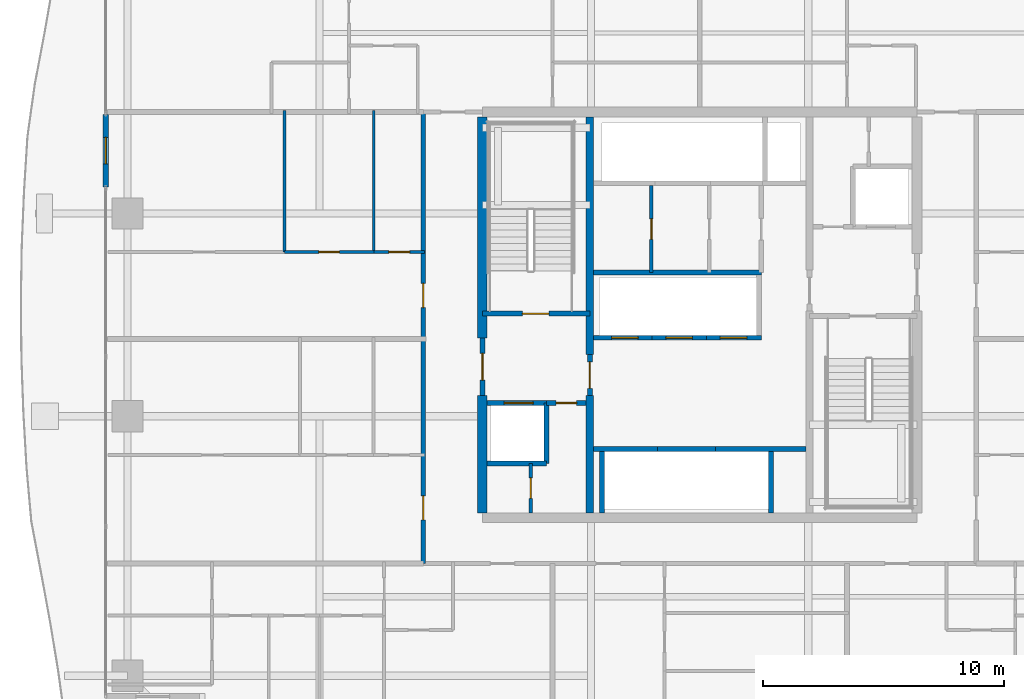
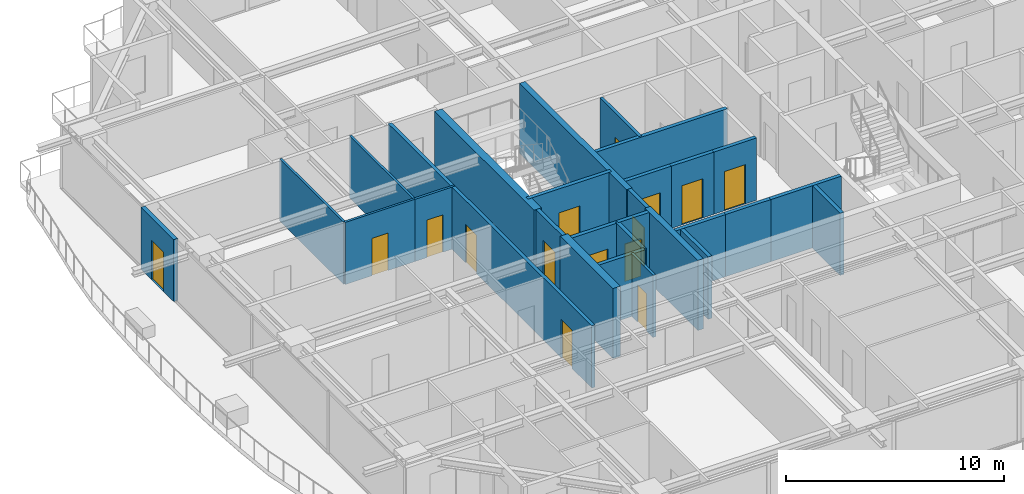
# One storey, part 28 of 38: 28 walls, 15 doors, 15 openings.
"""IFC4 building model written with IfcOpenShell, lengths in metres."""

from ifc_helpers import new_model, si_unit, direction, frame, frame_2d, origin, place, context, subcontext, project, spatial, rectangle, extrude, source, transform, mapped, material, layer, layer_set, type_object, element, fill, save


model = new_model("IFC4")

# Units and contexts
model_context = context("Model", 3, precision=1e-05, world=origin(), true_north=direction((0.0, 1.0)))
body_context = subcontext(model_context, "Body", "Model", "MODEL_VIEW")
ifc_project = project(units=[si_unit("LENGTHUNIT", "METRE"), si_unit("AREAUNIT", "SQUARE_METRE"), si_unit("VOLUMEUNIT", "CUBIC_METRE"), si_unit("PLANEANGLEUNIT", "RADIAN"), si_unit("MASSUNIT", "GRAM", prefix="KILO")], contexts=[model_context])

# Site, building, storey
site_placement = place(None, origin())
site = spatial("IfcSite", under=ifc_project, at=site_placement, CompositionType="ELEMENT")
building_placement = place(site_placement, origin())
building = spatial("IfcBuilding", under=site, at=building_placement, Name="Serunith Strait Residences", CompositionType="ELEMENT")
storey_placement = place(building_placement, frame((0.0, 0.0, 120.14990234375)))
storey = spatial("IfcBuildingStorey", under=building, at=storey_placement, Name="L29", CompositionType="ELEMENT", Elevation=120.14990234375)

# Wall, opening, door
ifc_material_1 = material(Name="Pale-Champagne Aluminium Insulated Panel", Category="aluminium")
ifc_layer_1 = layer(ifc_material_1, 0.219970703125, Name="Pale-Champagne Aluminium Insulated Panel")
ifc_layer_set_1 = layer_set([ifc_layer_1], Name="Pale-Champagne Aluminium Insulated Panel")
wall_type_1 = type_object("IfcWallType", Name="EW-ALUM-220", PredefinedType="ELEMENTEDWALL", material=ifc_layer_set_1)
wall_1_placement = place(storey_placement, frame((7.800048828125, 33.5, 0.0), z_axis=(0.0, 0.0, 1.0), x_axis=(0.0, -1.0, 0.0)))
wall_1 = element("IfcWall", 1, at=wall_1_placement, inside=storey, type_object=wall_type_1, Name="L29 W Facade Pier Wall", PredefinedType="ELEMENTEDWALL", context=body_context, shape_type="SweptSolid", body=[
    extrude(rectangle(XDim=3.0, YDim=0.219970703125, at=frame_2d((1.5, 0.0))), origin(), (0.0, 0.0, 1.0), 3.47509765625),
])
opening_1_placement = place(wall_1_placement, frame((0.949951171875, 0.0, 0.0)))
opening_1 = element("IfcOpeningElement", 2, at=opening_1_placement, cuts=wall_1, Name="Opening ED-03", PredefinedType="OPENING", context=body_context, shape_type="SweptSolid", body=[
    extrude(rectangle(XDim=1.10009765625, YDim=2.199951171875, at=frame_2d((0.550048828125, 1.10009765625))), frame((0.0, 0.1201171875, 0.0), z_axis=(0.0, -1.0, 0.0), x_axis=(1.0, 0.0, 0.0)), (0.0, 0.0, 1.0), 0.239990234375),
])
ifc_material_2 = material(Name="Thermally-Broken Aluminium Glazed Balcony Door", Category="aluminium")
door_type_1 = type_object("IfcDoorType", Name="ED-BALC-1100", OperationType="NOTDEFINED", PredefinedType="DOOR", material=ifc_material_2)
shared_shape_1 = source(origin(), body_context, "Body", "SweptSolid", [
    extrude(rectangle(XDim=1.10009765625, YDim=2.199951171875, at=frame_2d((0.550048828125, 1.10009765625))), frame((0.0, 0.02490234375, 0.0), z_axis=(0.0, -1.0, 0.0), x_axis=(1.0, 0.0, 0.0)), (0.0, 0.0, 1.0), 0.050048828125),
])
door_1_placement = place(opening_1_placement, origin())
door_1 = element("IfcDoor", 3, at=door_1_placement, inside=storey, type_object=door_type_1, Name="L29 W Vertical-Forest Balcony Door", OperationType="SINGLE_SWING_LEFT", OverallHeight=2.199951171875, OverallWidth=1.10009765625, PredefinedType="DOOR", context=body_context, shape_type="MappedRepresentation", body=[
    mapped(shared_shape_1, transform((0.0, 0.0, 0.0), scale=1.0)),
])
fill(opening_1, door_1)

ifc_material_3 = material(Name="Fire-rated masonry service closet wall", Category="masonry")
ifc_layer_2 = layer(ifc_material_3, 0.14990234375, Name="Fire-rated masonry service closet wall")
ifc_layer_set_2 = layer_set([ifc_layer_2], Name="Fire-rated masonry service closet wall")
wall_type_2 = type_object("IfcWallType", Name="IW-BOH-150", PredefinedType="PARTITIONING", material=ifc_layer_set_2)
wall_2_placement = place(storey_placement, frame((25.39990234375, 17.0, 0.0), z_axis=(0.0, 0.0, 1.0), x_axis=(0.0, 1.0, 0.0)))
wall_2 = element("IfcWall", 4, at=wall_2_placement, inside=storey, type_object=wall_type_2, Name="L29 Partition Wall 012", PredefinedType="PARTITIONING", context=body_context, shape_type="SweptSolid", body=[
    extrude(rectangle(XDim=2.050048828125, YDim=0.14990234375, at=frame_2d((1.02490234375, 0.0))), origin(), (0.0, 0.0, 1.0), 3.489990234375),
])
opening_2_placement = place(wall_2_placement, frame((0.60009765625, 0.0, 0.0)))
opening_2 = element("IfcOpeningElement", 5, at=opening_2_placement, cuts=wall_2, Name="Opening FD-850", PredefinedType="OPENING", context=body_context, shape_type="SweptSolid", body=[
    extrude(rectangle(XDim=0.85009765625, YDim=2.10009765625, at=frame_2d((0.425048828125, 1.050048828125))), frame((0.0, 0.0849609375, 0.0), z_axis=(0.0, -1.0, 0.0), x_axis=(1.0, 0.0, 0.0)), (0.0, 0.0, 1.0), 0.169921875),
])
ifc_material_4 = material(Name="Powder-coated steel service closet door", Category="steel")
door_type_2 = type_object("IfcDoorType", Name="FD-BOH-850", OperationType="NOTDEFINED", PredefinedType="DOOR", material=ifc_material_4)
shared_shape_2 = source(origin(), body_context, "Body", "SweptSolid", [
    extrude(rectangle(XDim=0.85009765625, YDim=2.10009765625, at=frame_2d((0.425048828125, 1.050048828125))), frame((0.0, 0.02490234375, 0.0), z_axis=(0.0, -1.0, 0.0), x_axis=(1.0, 0.0, 0.0)), (0.0, 0.0, 1.0), 0.050048828125),
])
door_2_placement = place(opening_2_placement, origin())
door_2 = element("IfcDoor", 6, at=door_2_placement, inside=storey, type_object=door_type_2, Name="L29 Sprinkler Plant Door", OperationType="SINGLE_SWING_LEFT", OverallHeight=2.10009765625, OverallWidth=0.85009765625, PredefinedType="DOOR", context=body_context, shape_type="MappedRepresentation", body=[
    mapped(shared_shape_2, transform((0.0, 0.0, 0.0), scale=1.0)),
])
fill(opening_2, door_2)

wall_3_placement = place(storey_placement, frame((30.39990234375, 26.949951171875, 0.0), z_axis=(0.0, 0.0, 1.0), x_axis=(0.0, 1.0, 0.0)))
wall_3 = element("IfcWall", 7, at=wall_3_placement, inside=storey, type_object=wall_type_2, Name="L29 Partition Wall 016", PredefinedType="PARTITIONING", context=body_context, shape_type="SweptSolid", body=[
    extrude(rectangle(XDim=3.60009765625, YDim=0.14990234375, at=frame_2d((1.800048828125, 0.0))), origin(), (0.0, 0.0, 1.0), 3.489990234375),
])
opening_3_placement = place(wall_3_placement, frame((1.375, 0.0, 0.0)))
opening_3 = element("IfcOpeningElement", 8, at=opening_3_placement, cuts=wall_3, Name="Opening FD-850", PredefinedType="OPENING", context=body_context, shape_type="SweptSolid", body=[
    extrude(rectangle(XDim=0.85009765625, YDim=2.10009765625, at=frame_2d((0.425048828125, 1.050048828125))), frame((0.0, 0.0849609375, 0.0), z_axis=(0.0, -1.0, 0.0), x_axis=(1.0, 0.0, 0.0)), (0.0, 0.0, 1.0), 0.169921875),
])
door_3_placement = place(opening_3_placement, origin())
door_3 = element("IfcDoor", 9, at=door_3_placement, inside=storey, type_object=door_type_2, Name="L29 Housekeeping Supply Door", OperationType="SINGLE_SWING_LEFT", OverallHeight=2.10009765625, OverallWidth=0.85009765625, PredefinedType="DOOR", context=body_context, shape_type="MappedRepresentation", body=[
    mapped(shared_shape_2, transform((0.0, 0.0, 0.0), scale=1.0)),
])
fill(opening_3, door_3)

# Wall, openings, doors
ifc_material_5 = material(Name="Fire-rated acoustic gypsum partition")
ifc_layer_3 = layer(ifc_material_5, 0.179931640625, Name="Fire-rated acoustic gypsum partition")
ifc_layer_set_3 = layer_set([ifc_layer_3], Name="Fire-rated acoustic gypsum partition")
wall_type_3 = type_object("IfcWallType", Name="IW-CORR-180", PredefinedType="PARTITIONING", material=ifc_layer_set_3)
wall_4_placement = place(storey_placement, frame((20.949951171875, 14.89990234375, 0.0), z_axis=(0.0, 0.0, 1.0), x_axis=(0.0, 1.0, 0.0)))
wall_4 = element("IfcWall", 10, at=wall_4_placement, inside=storey, type_object=wall_type_3, Name="L29 Partition Wall 027", PredefinedType="PARTITIONING", context=body_context, shape_type="SweptSolid", body=[
    extrude(rectangle(XDim=18.7001953125, YDim=0.179931640625, at=frame_2d((9.35009765625, 0.0))), origin(), (0.0, 0.0, 1.0), 3.489990234375),
])
opening_4_placement = place(wall_4_placement, frame((1.804931640625, 0.0, 0.0)))
opening_4 = element("IfcOpeningElement", 11, at=opening_4_placement, cuts=wall_4, Name="Opening D-APT1000", PredefinedType="OPENING", context=body_context, shape_type="SweptSolid", body=[
    extrude(rectangle(XDim=1.0, YDim=2.14990234375, at=frame_2d((0.5, 1.074951171875))), frame((0.0, 0.10009765625, 0.0), z_axis=(0.0, -1.0, 0.0), x_axis=(1.0, 0.0, 0.0)), (0.0, 0.0, 1.0), 0.199951171875),
])
opening_5_placement = place(wall_4_placement, frame((10.60205078125, 0.0, 0.0)))
opening_5 = element("IfcOpeningElement", 12, at=opening_5_placement, cuts=wall_4, Name="Opening D-APT1000", PredefinedType="OPENING", context=body_context, shape_type="SweptSolid", body=[
    extrude(rectangle(XDim=1.0, YDim=2.14990234375, at=frame_2d((0.5, 1.074951171875))), frame((0.0, 0.10009765625, 0.0), z_axis=(0.0, -1.0, 0.0), x_axis=(1.0, 0.0, 0.0)), (0.0, 0.0, 1.0), 0.199951171875),
])
ifc_material_6 = material(Name="Solid timber engineered fire door", Category="wood")
door_type_3 = type_object("IfcDoorType", Name="ID-APT-1000", OperationType="NOTDEFINED", PredefinedType="DOOR", material=ifc_material_6)
shared_shape_3 = source(origin(), body_context, "Body", "SweptSolid", [
    extrude(rectangle(XDim=1.0, YDim=2.14990234375, at=frame_2d((0.5, 1.074951171875))), frame((0.0, 0.02490234375, 0.0), z_axis=(0.0, -1.0, 0.0), x_axis=(1.0, 0.0, 0.0)), (0.0, 0.0, 1.0), 0.050048828125),
])
door_4_placement = place(opening_4_placement, origin())
door_4 = element("IfcDoor", 13, at=door_4_placement, inside=storey, type_object=door_type_3, Name="L29 Unit 06 Entrance Door", OperationType="SINGLE_SWING_LEFT", OverallHeight=2.14990234375, OverallWidth=1.0, PredefinedType="DOOR", context=body_context, shape_type="MappedRepresentation", body=[
    mapped(shared_shape_3, transform((0.0, 0.0, 0.0), scale=1.0)),
])
fill(opening_4, door_4)
door_5_placement = place(opening_5_placement, origin())
door_5 = element("IfcDoor", 14, at=door_5_placement, inside=storey, type_object=door_type_3, Name="L29 Unit 07 Entrance Door", OperationType="SINGLE_SWING_RIGHT", OverallHeight=2.14990234375, OverallWidth=1.0, PredefinedType="DOOR", context=body_context, shape_type="MappedRepresentation", body=[
    mapped(shared_shape_3, transform((0.0, 0.0, 0.0), scale=1.0)),
])
fill(opening_5, door_5)

# Walls
ifc_material_7 = material(Name="Lightweight steel-stud gypsum partition", Category="steel")
ifc_layer_4 = layer(ifc_material_7, 0.1201171875, Name="Lightweight steel-stud gypsum partition")
ifc_layer_set_4 = layer_set([ifc_layer_4], Name="Lightweight steel-stud gypsum partition")
wall_type_4 = type_object("IfcWallType", Name="IW-PART-120", PredefinedType="PARTITIONING", material=ifc_layer_set_4)
for number, where, z_axis, x_axis, name in (
    (15, (15.197998046875, 27.800048828125, 0.0), (0.0, 0.0, 1.0), (0.0, 1.0, 0.0), "L29 Partition Wall 100"),
    (16, (18.89990234375, 27.800048828125, 0.0), (0.0, 0.0, 1.0), (0.0, 1.0, 0.0), "L29 Partition Wall 101"),
):
    element("IfcWall", number, at=place(storey_placement, frame(where, z_axis=z_axis, x_axis=x_axis)), inside=storey, type_object=wall_type_4, Name=name, PredefinedType="PARTITIONING", context=body_context, shape_type="SweptSolid", body=[
        extrude(rectangle(XDim=5.85986328125, YDim=0.1201171875, at=frame_2d((2.929931640625, 0.0))), origin(), (0.0, 0.0, 1.0), 3.489990234375),
    ])

# Wall, opening, door
wall_5_placement = place(storey_placement, frame((15.199951171875, 27.800048828125, 0.0), z_axis=(0.0, 0.0, 1.0), x_axis=(1.0, 0.0, 0.0)))
wall_5 = element("IfcWall", 17, at=wall_5_placement, inside=storey, type_object=wall_type_4, Name="L29 Partition Wall 102", PredefinedType="PARTITIONING", context=body_context, shape_type="SweptSolid", body=[
    extrude(rectangle(XDim=3.699951171875, YDim=0.1201171875, at=frame_2d((1.85009765625, 0.0))), origin(), (0.0, 0.0, 1.0), 3.489990234375),
])
opening_6_placement = place(wall_5_placement, frame((1.425048828125, 0.0, 0.0)))
opening_6 = element("IfcOpeningElement", 18, at=opening_6_placement, cuts=wall_5, Name="Opening D-RM850", PredefinedType="OPENING", context=body_context, shape_type="SweptSolid", body=[
    extrude(rectangle(XDim=0.85009765625, YDim=2.10009765625, at=frame_2d((0.425048828125, 1.050048828125))), frame((0.0, 0.070068359375, 0.0), z_axis=(0.0, -1.0, 0.0), x_axis=(1.0, 0.0, 0.0)), (0.0, 0.0, 1.0), 0.14013671875),
])
ifc_material_8 = material(Name="Engineered timber flush study and kitchen door", Category="wood")
door_type_4 = type_object("IfcDoorType", Name="ID-ROOM-850", OperationType="NOTDEFINED", PredefinedType="DOOR", material=ifc_material_8)
door_6_placement = place(opening_6_placement, origin())
door_6 = element("IfcDoor", 19, at=door_6_placement, inside=storey, type_object=door_type_4, Name="L29 Kitchen 2907 Door", OperationType="SINGLE_SWING_LEFT", OverallHeight=2.10009765625, OverallWidth=0.85009765625, PredefinedType="DOOR", context=body_context, shape_type="MappedRepresentation", body=[
    mapped(shared_shape_2, transform((0.0, 0.0, 0.0), scale=1.0)),
])
fill(opening_6, door_6)

wall_6_placement = place(storey_placement, frame((18.902099609375, 27.800048828125, 0.0), z_axis=(0.0, 0.0, 1.0), x_axis=(1.0, 0.0, 0.0)))
wall_6 = element("IfcWall", 20, at=wall_6_placement, inside=storey, type_object=wall_type_4, Name="L29 Partition Wall 103", PredefinedType="PARTITIONING", context=body_context, shape_type="SweptSolid", body=[
    extrude(rectangle(XDim=2.10791015625, YDim=0.1201171875, at=frame_2d((1.053955078125, 0.0))), origin(), (0.0, 0.0, 1.0), 3.489990234375),
])
opening_7_placement = place(wall_6_placement, frame((0.62890625, 0.0, 0.0)))
opening_7 = element("IfcOpeningElement", 21, at=opening_7_placement, cuts=wall_6, Name="Opening D-BTH850", PredefinedType="OPENING", context=body_context, shape_type="SweptSolid", body=[
    extrude(rectangle(XDim=0.85009765625, YDim=2.10009765625, at=frame_2d((0.425048828125, 1.050048828125))), frame((0.0, 0.070068359375, 0.0), z_axis=(0.0, -1.0, 0.0), x_axis=(1.0, 0.0, 0.0)), (0.0, 0.0, 1.0), 0.14013671875),
])
ifc_material_9 = material(Name="Moisture-resistant timber bathroom door", Category="wood")
door_type_5 = type_object("IfcDoorType", Name="ID-BATH-850", OperationType="NOTDEFINED", PredefinedType="DOOR", material=ifc_material_9)
door_7_placement = place(opening_7_placement, origin())
door_7 = element("IfcDoor", 22, at=door_7_placement, inside=storey, type_object=door_type_5, Name="L29 Bathroom 2907 Door", OperationType="SINGLE_SWING_RIGHT", OverallHeight=2.10009765625, OverallWidth=0.85009765625, PredefinedType="DOOR", context=body_context, shape_type="MappedRepresentation", body=[
    mapped(shared_shape_2, transform((0.0, 0.0, 0.0), scale=1.0)),
])
fill(opening_7, door_7)

ifc_material_10 = material(Name="Autoclaved aerated concrete blockwork", Category="masonry")
ifc_layer_5 = layer(ifc_material_10, 0.199951171875, Name="Autoclaved aerated concrete blockwork")
ifc_layer_set_5 = layer_set([ifc_layer_5], Name="Autoclaved aerated concrete blockwork")
wall_type_5 = type_object("IfcWallType", Name="IW-SHAFT-200", PredefinedType="STANDARD", material=ifc_layer_set_5)
wall_7_placement = place(storey_placement, frame((23.39990234375, 25.25, 0.0), z_axis=(0.0, 0.0, 1.0), x_axis=(1.0, 0.0, 0.0)))
wall_7 = element("IfcWall", 23, at=wall_7_placement, inside=storey, type_object=wall_type_5, Name="L29 ST-1 South Shaft Wall", PredefinedType="STANDARD", context=body_context, shape_type="SweptSolid", body=[
    extrude(rectangle(XDim=4.4501953125, YDim=0.199951171875, at=frame_2d((2.22509765625, 0.0))), origin(), (0.0, 0.0, 1.0), 3.489990234375),
])
opening_8_placement = place(wall_7_placement, frame((1.64990234375, 0.0, 0.0)))
opening_8 = element("IfcOpeningElement", 24, at=opening_8_placement, cuts=wall_7, Name="Opening FD-1100", PredefinedType="OPENING", context=body_context, shape_type="SweptSolid", body=[
    extrude(rectangle(XDim=1.10009765625, YDim=2.14990234375, at=frame_2d((0.550048828125, 1.074951171875))), frame((0.0, 0.10986328125, 0.0), z_axis=(0.0, -1.0, 0.0), x_axis=(1.0, 0.0, 0.0)), (0.0, 0.0, 1.0), 0.219970703125),
])
ifc_material_11 = material(Name="Galvanised steel fire door leaf", Category="steel")
door_type_6 = type_object("IfcDoorType", Name="FD-STAIR-1100", OperationType="NOTDEFINED", PredefinedType="DOOR", material=ifc_material_11)
shared_shape_4 = source(origin(), body_context, "Body", "SweptSolid", [
    extrude(rectangle(XDim=1.10009765625, YDim=2.14990234375, at=frame_2d((0.550048828125, 1.074951171875))), frame((0.0, 0.02490234375, 0.0), z_axis=(0.0, -1.0, 0.0), x_axis=(1.0, 0.0, 0.0)), (0.0, 0.0, 1.0), 0.050048828125),
])
door_8_placement = place(opening_8_placement, origin())
door_8 = element("IfcDoor", 25, at=door_8_placement, inside=storey, type_object=door_type_6, Name="L29 ST-1 Escape Stair Door", OperationType="SINGLE_SWING_LEFT", OverallHeight=2.14990234375, OverallWidth=1.10009765625, PredefinedType="DOOR", context=body_context, shape_type="MappedRepresentation", body=[
    mapped(shared_shape_4, transform((0.0, 0.0, 0.0), scale=1.0)),
])
fill(opening_8, door_8)

wall_8_placement = place(storey_placement, frame((23.60009765625, 21.550048828125, 0.0), z_axis=(0.0, 0.0, 1.0), x_axis=(1.0, 0.0, 0.0)))
wall_8 = element("IfcWall", 26, at=wall_8_placement, inside=storey, type_object=wall_type_5, Name="L29 FL-1 North Shaft Wall", PredefinedType="STANDARD", context=body_context, shape_type="SweptSolid", body=[
    extrude(rectangle(XDim=2.449951171875, YDim=0.199951171875, at=frame_2d((1.22509765625, 0.0))), origin(), (0.0, 0.0, 1.0), 3.489990234375),
])
opening_9_placement = place(wall_8_placement, frame((0.699951171875, 0.0, 0.0)))
opening_9 = element("IfcOpeningElement", 27, at=opening_9_placement, cuts=wall_8, Name="Opening LD-FF1200", PredefinedType="OPENING", context=body_context, shape_type="SweptSolid", body=[
    extrude(rectangle(XDim=1.199951171875, YDim=2.199951171875, at=frame_2d((0.60009765625, 1.10009765625))), frame((0.0, 0.10986328125, 0.0), z_axis=(0.0, -1.0, 0.0), x_axis=(1.0, 0.0, 0.0)), (0.0, 0.0, 1.0), 0.219970703125),
])
ifc_material_12 = material(Name="Brushed stainless steel landing door", Category="steel")
door_type_7 = type_object("IfcDoorType", Name="LD-FF-1200", OperationType="DOUBLE_DOOR_SLIDING", PredefinedType="DOOR", material=ifc_material_12)
shared_shape_5 = source(origin(), body_context, "Body", "SweptSolid", [
    extrude(rectangle(XDim=1.199951171875, YDim=2.199951171875, at=frame_2d((0.60009765625, 1.10009765625))), frame((0.0, 0.02490234375, 0.0), z_axis=(0.0, -1.0, 0.0), x_axis=(1.0, 0.0, 0.0)), (0.0, 0.0, 1.0), 0.050048828125),
])
door_9_placement = place(opening_9_placement, origin())
door_9 = element("IfcDoor", 28, at=door_9_placement, inside=storey, type_object=door_type_7, Name="L29 FL-1 Landing Door", OperationType="DOUBLE_DOOR_SLIDING", OverallHeight=2.199951171875, OverallWidth=1.199951171875, PredefinedType="DOOR", context=body_context, shape_type="MappedRepresentation", body=[
    mapped(shared_shape_5, transform((0.0, 0.0, 0.0), scale=1.0)),
])
fill(opening_9, door_9)

# Walls
wall_9_placement = place(storey_placement, frame((28.0, 19.64990234375, 0.0), z_axis=(0.0, 0.0, 1.0), x_axis=(1.0, 0.0, 0.0)))
element("IfcWall", 29, at=wall_9_placement, inside=storey, type_object=wall_type_5, Name="L29 PL-1 North Shaft Wall", PredefinedType="STANDARD", context=body_context, shape_type="SweptSolid", body=[
    extrude(rectangle(XDim=2.64990234375, YDim=0.199951171875, at=frame_2d((1.324951171875, 0.0))), origin(), (0.0, 0.0, 1.0), 3.489990234375),
])
wall_10_placement = place(storey_placement, frame((28.35009765625, 17.0, 0.0), z_axis=(0.0, 0.0, 1.0), x_axis=(0.0, 1.0, 0.0)))
element("IfcWall", 30, at=wall_10_placement, inside=storey, type_object=wall_type_5, Name="L29 PL-1 West Shaft Wall", PredefinedType="STANDARD", context=body_context, shape_type="SweptSolid", body=[
    extrude(rectangle(XDim=2.550048828125, YDim=0.199951171875, at=frame_2d((1.27490234375, 0.0))), origin(), (0.0, 0.0, 1.0), 3.489990234375),
])
wall_11_placement = place(storey_placement, frame((30.64990234375, 19.64990234375, 0.0), z_axis=(0.0, 0.0, 1.0), x_axis=(1.0, 0.0, 0.0)))
element("IfcWall", 31, at=wall_11_placement, inside=storey, type_object=wall_type_5, Name="L29 PL-2 North Shaft Wall", PredefinedType="STANDARD", context=body_context, shape_type="SweptSolid", body=[
    extrude(rectangle(XDim=2.400146484375, YDim=0.199951171875, at=frame_2d((1.2001953125, 0.0))), origin(), (0.0, 0.0, 1.0), 3.489990234375),
])
wall_12_placement = place(storey_placement, frame((33.050048828125, 19.64990234375, 0.0), z_axis=(0.0, 0.0, 1.0), x_axis=(1.0, 0.0, 0.0)))
element("IfcWall", 32, at=wall_12_placement, inside=storey, type_object=wall_type_5, Name="L29 PL-3 North Shaft Wall", PredefinedType="STANDARD", context=body_context, shape_type="SweptSolid", body=[
    extrude(rectangle(XDim=3.75, YDim=0.199951171875, at=frame_2d((1.875, 0.0))), origin(), (0.0, 0.0, 1.0), 3.489990234375),
])
wall_13_placement = place(storey_placement, frame((35.35009765625, 17.0, 0.0), z_axis=(0.0, 0.0, 1.0), x_axis=(0.0, 1.0, 0.0)))
element("IfcWall", 33, at=wall_13_placement, inside=storey, type_object=wall_type_5, Name="L29 PL-3 East Shaft Wall", PredefinedType="STANDARD", context=body_context, shape_type="SweptSolid", body=[
    extrude(rectangle(XDim=2.550048828125, YDim=0.199951171875, at=frame_2d((1.27490234375, 0.0))), origin(), (0.0, 0.0, 1.0), 3.489990234375),
])

# Wall, opening, door
wall_14_placement = place(storey_placement, frame((28.0, 24.25, 0.0), z_axis=(0.0, 0.0, 1.0), x_axis=(1.0, 0.0, 0.0)))
wall_14 = element("IfcWall", 34, at=wall_14_placement, inside=storey, type_object=wall_type_5, Name="L29 PL-4 South Shaft Wall", PredefinedType="STANDARD", context=body_context, shape_type="SweptSolid", body=[
    extrude(rectangle(XDim=2.425048828125, YDim=0.199951171875, at=frame_2d((1.21240234375, 0.0))), origin(), (0.0, 0.0, 1.0), 3.489990234375),
])
opening_10_placement = place(wall_14_placement, frame((0.75, 0.0, 0.0)))
opening_10 = element("IfcOpeningElement", 35, at=opening_10_placement, cuts=wall_14, Name="Opening LD-1100", PredefinedType="OPENING", context=body_context, shape_type="SweptSolid", body=[
    extrude(rectangle(XDim=1.10009765625, YDim=2.199951171875, at=frame_2d((0.550048828125, 1.10009765625))), frame((0.0, 0.10986328125, 0.0), z_axis=(0.0, -1.0, 0.0), x_axis=(1.0, 0.0, 0.0)), (0.0, 0.0, 1.0), 0.219970703125),
])
ifc_material_13 = material(Name="Pale-champagne stainless landing door")
door_type_8 = type_object("IfcDoorType", Name="LD-LIFT-1100", OperationType="DOUBLE_DOOR_SLIDING", PredefinedType="DOOR", material=ifc_material_13)
door_10_placement = place(opening_10_placement, origin())
door_10 = element("IfcDoor", 36, at=door_10_placement, inside=storey, type_object=door_type_8, Name="L29 PL-4 Landing Door", OperationType="DOUBLE_DOOR_SLIDING", OverallHeight=2.199951171875, OverallWidth=1.10009765625, PredefinedType="DOOR", context=body_context, shape_type="MappedRepresentation", body=[
    mapped(shared_shape_1, transform((0.0, 0.0, 0.0), scale=1.0)),
])
fill(opening_10, door_10)

wall_15_placement = place(storey_placement, frame((30.425048828125, 24.25, 0.0), z_axis=(0.0, 0.0, 1.0), x_axis=(1.0, 0.0, 0.0)))
wall_15 = element("IfcWall", 37, at=wall_15_placement, inside=storey, type_object=wall_type_5, Name="L29 PL-5 South Shaft Wall", PredefinedType="STANDARD", context=body_context, shape_type="SweptSolid", body=[
    extrude(rectangle(XDim=2.25, YDim=0.199951171875, at=frame_2d((1.125, 0.0))), origin(), (0.0, 0.0, 1.0), 3.489990234375),
])
opening_11_placement = place(wall_15_placement, frame((0.574951171875, 0.0, 0.0)))
opening_11 = element("IfcOpeningElement", 38, at=opening_11_placement, cuts=wall_15, Name="Opening LD-1100", PredefinedType="OPENING", context=body_context, shape_type="SweptSolid", body=[
    extrude(rectangle(XDim=1.10009765625, YDim=2.199951171875, at=frame_2d((0.550048828125, 1.10009765625))), frame((0.0, 0.10986328125, 0.0), z_axis=(0.0, -1.0, 0.0), x_axis=(1.0, 0.0, 0.0)), (0.0, 0.0, 1.0), 0.219970703125),
])
door_11_placement = place(opening_11_placement, origin())
door_11 = element("IfcDoor", 39, at=door_11_placement, inside=storey, type_object=door_type_8, Name="L29 PL-5 Landing Door", OperationType="DOUBLE_DOOR_SLIDING", OverallHeight=2.199951171875, OverallWidth=1.10009765625, PredefinedType="DOOR", context=body_context, shape_type="MappedRepresentation", body=[
    mapped(shared_shape_1, transform((0.0, 0.0, 0.0), scale=1.0)),
])
fill(opening_11, door_11)

wall_16_placement = place(storey_placement, frame((32.675048828125, 24.25, 0.0), z_axis=(0.0, 0.0, 1.0), x_axis=(1.0, 0.0, 0.0)))
wall_16 = element("IfcWall", 40, at=wall_16_placement, inside=storey, type_object=wall_type_5, Name="L29 PL-6 South Shaft Wall", PredefinedType="STANDARD", context=body_context, shape_type="SweptSolid", body=[
    extrude(rectangle(XDim=2.27490234375, YDim=0.199951171875, at=frame_2d((1.137451171875, 0.0))), origin(), (0.0, 0.0, 1.0), 3.489990234375),
])
opening_12_placement = place(wall_16_placement, frame((0.574951171875, 0.0, 0.0)))
opening_12 = element("IfcOpeningElement", 41, at=opening_12_placement, cuts=wall_16, Name="Opening LD-1100", PredefinedType="OPENING", context=body_context, shape_type="SweptSolid", body=[
    extrude(rectangle(XDim=1.10009765625, YDim=2.199951171875, at=frame_2d((0.550048828125, 1.10009765625))), frame((0.0, 0.10986328125, 0.0), z_axis=(0.0, -1.0, 0.0), x_axis=(1.0, 0.0, 0.0)), (0.0, 0.0, 1.0), 0.219970703125),
])
door_12_placement = place(opening_12_placement, origin())
door_12 = element("IfcDoor", 42, at=door_12_placement, inside=storey, type_object=door_type_8, Name="L29 PL-6 Landing Door", OperationType="DOUBLE_DOOR_SLIDING", OverallHeight=2.199951171875, OverallWidth=1.10009765625, PredefinedType="DOOR", context=body_context, shape_type="MappedRepresentation", body=[
    mapped(shared_shape_1, transform((0.0, 0.0, 0.0), scale=1.0)),
])
fill(opening_12, door_12)

# Walls
wall_17_placement = place(storey_placement, frame((26.050048828125, 19.050048828125, 0.0), z_axis=(0.0, 0.0, 1.0), x_axis=(0.0, 1.0, 0.0)))
element("IfcWall", 43, at=wall_17_placement, inside=storey, type_object=wall_type_5, Name="L29 Partition Wall 001", PredefinedType="STANDARD", context=body_context, shape_type="SweptSolid", body=[
    extrude(rectangle(XDim=2.5, YDim=0.199951171875, at=frame_2d((1.25, 0.0))), origin(), (0.0, 0.0, 1.0), 3.489990234375),
])
wall_18_placement = place(storey_placement, frame((23.60009765625, 19.050048828125, 0.0), z_axis=(0.0, 0.0, 1.0), x_axis=(1.0, 0.0, 0.0)))
element("IfcWall", 44, at=wall_18_placement, inside=storey, type_object=wall_type_5, Name="L29 Partition Wall 002", PredefinedType="STANDARD", context=body_context, shape_type="SweptSolid", body=[
    extrude(rectangle(XDim=2.449951171875, YDim=0.199951171875, at=frame_2d((1.22509765625, 0.0))), origin(), (0.0, 0.0, 1.0), 3.489990234375),
])

# Wall, opening, door
wall_19_placement = place(storey_placement, frame((26.052001953125, 21.550048828125, 0.0), z_axis=(0.0, 0.0, 1.0), x_axis=(1.0, 0.0, 0.0)))
wall_19 = element("IfcWall", 45, at=wall_19_placement, inside=storey, type_object=wall_type_5, Name="L29 Partition Wall 003", PredefinedType="STANDARD", context=body_context, shape_type="SweptSolid", body=[
    extrude(rectangle(XDim=1.64794921875, YDim=0.199951171875, at=frame_2d((0.823974609375, 0.0))), origin(), (0.0, 0.0, 1.0), 3.489990234375),
])
opening_13_placement = place(wall_19_placement, frame((0.39892578125, 0.0, 0.0)))
opening_13 = element("IfcOpeningElement", 46, at=opening_13_placement, cuts=wall_19, Name="Opening FD-850", PredefinedType="OPENING", context=body_context, shape_type="SweptSolid", body=[
    extrude(rectangle(XDim=0.85009765625, YDim=2.10009765625, at=frame_2d((0.425048828125, 1.050048828125))), frame((0.0, 0.10986328125, 0.0), z_axis=(0.0, -1.0, 0.0), x_axis=(1.0, 0.0, 0.0)), (0.0, 0.0, 1.0), 0.219970703125),
])
door_13_placement = place(opening_13_placement, origin())
door_13 = element("IfcDoor", 47, at=door_13_placement, inside=storey, type_object=door_type_2, Name="L29 South-West Core Service Door", OperationType="SINGLE_SWING_LEFT", OverallHeight=2.10009765625, OverallWidth=0.85009765625, PredefinedType="DOOR", context=body_context, shape_type="MappedRepresentation", body=[
    mapped(shared_shape_2, transform((0.0, 0.0, 0.0), scale=1.0)),
])
fill(opening_13, door_13)

wall_20_placement = place(storey_placement, frame((23.39990234375, 21.85205078125, 0.0), z_axis=(0.0, 0.0, 1.0), x_axis=(0.0, 1.0, 0.0)))
wall_20 = element("IfcWall", 48, at=wall_20_placement, inside=storey, type_object=wall_type_5, Name="L29 Partition Wall 007", PredefinedType="STANDARD", context=body_context, shape_type="SweptSolid", body=[
    extrude(rectangle(XDim=2.39599609375, YDim=0.199951171875, at=frame_2d((1.197998046875, 0.0))), origin(), (0.0, 0.0, 1.0), 3.489990234375),
])
opening_14_placement = place(wall_20_placement, frame((0.64794921875, 0.0, 0.0)))
opening_14 = element("IfcOpeningElement", 49, at=opening_14_placement, cuts=wall_20, Name="Opening FD-FFL", PredefinedType="OPENING", context=body_context, shape_type="SweptSolid", body=[
    extrude(rectangle(XDim=1.10009765625, YDim=2.14990234375, at=frame_2d((0.550048828125, 1.074951171875))), frame((0.0, 0.10986328125, 0.0), z_axis=(0.0, -1.0, 0.0), x_axis=(1.0, 0.0, 0.0)), (0.0, 0.0, 1.0), 0.219970703125),
])
ifc_material_14 = material(Name="Glazed steel smoke-lobby fire door", Category="steel")
door_type_9 = type_object("IfcDoorType", Name="FD-FFL-1100", OperationType="NOTDEFINED", PredefinedType="DOOR", material=ifc_material_14)
door_14_placement = place(opening_14_placement, origin())
door_14 = element("IfcDoor", 50, at=door_14_placement, inside=storey, type_object=door_type_9, Name="L29 FFL-1 Corridor Fire Door", OperationType="SINGLE_SWING_LEFT", OverallHeight=2.14990234375, OverallWidth=1.10009765625, PredefinedType="DOOR", context=body_context, shape_type="MappedRepresentation", body=[
    mapped(shared_shape_4, transform((0.0, 0.0, 0.0), scale=1.0)),
])
fill(opening_14, door_14)

wall_21_placement = place(storey_placement, frame((27.85009765625, 21.85205078125, 0.0), z_axis=(0.0, 0.0, 1.0), x_axis=(0.0, 1.0, 0.0)))
wall_21 = element("IfcWall", 51, at=wall_21_placement, inside=storey, type_object=wall_type_5, Name="L29 Partition Wall 009", PredefinedType="STANDARD", context=body_context, shape_type="SweptSolid", body=[
    extrude(rectangle(XDim=1.696044921875, YDim=0.199951171875, at=frame_2d((0.84814453125, 0.0))), origin(), (0.0, 0.0, 1.0), 3.489990234375),
])
opening_15_placement = place(wall_21_placement, frame((0.298095703125, 0.0, 0.0)))
opening_15 = element("IfcOpeningElement", 52, at=opening_15_placement, cuts=wall_21, Name="Opening FD-FFL", PredefinedType="OPENING", context=body_context, shape_type="SweptSolid", body=[
    extrude(rectangle(XDim=1.10009765625, YDim=2.14990234375, at=frame_2d((0.550048828125, 1.074951171875))), frame((0.0, 0.10986328125, 0.0), z_axis=(0.0, -1.0, 0.0), x_axis=(1.0, 0.0, 0.0)), (0.0, 0.0, 1.0), 0.219970703125),
])
door_15_placement = place(opening_15_placement, origin())
door_15 = element("IfcDoor", 53, at=door_15_placement, inside=storey, type_object=door_type_9, Name="L29 FFL-1 Lift Lobby Door", OperationType="SINGLE_SWING_LEFT", OverallHeight=2.14990234375, OverallWidth=1.10009765625, PredefinedType="DOOR", context=body_context, shape_type="MappedRepresentation", body=[
    mapped(shared_shape_4, transform((0.0, 0.0, 0.0), scale=1.0)),
])
fill(opening_15, door_15)

# Walls
wall_22_placement = place(storey_placement, frame((28.0, 26.949951171875, 0.0), z_axis=(0.0, 0.0, 1.0), x_axis=(1.0, 0.0, 0.0)))
element("IfcWall", 54, at=wall_22_placement, inside=storey, type_object=wall_type_5, Name="L29 Partition Wall 011", PredefinedType="STANDARD", context=body_context, shape_type="SweptSolid", body=[
    extrude(rectangle(XDim=6.949951171875, YDim=0.199951171875, at=frame_2d((3.47509765625, 0.0))), origin(), (0.0, 0.0, 1.0), 3.489990234375),
])
ifc_material_15 = material(Name="Concrete C70/85", Category="concrete")
ifc_layer_6 = layer(ifc_material_15, 0.300048828125, Name="Concrete C70/85")
ifc_layer_set_6 = layer_set([ifc_layer_6], Name="Concrete C70/85")
wall_type_6 = type_object("IfcWallType", Name="SW-300-C70", PredefinedType="SHEAR", material=ifc_layer_set_6)
wall_23_placement = place(storey_placement, frame((27.85009765625, 17.0, -0.43994140625), z_axis=(0.0, 0.0, 1.0), x_axis=(0.0, 1.0, 0.0)))
element("IfcWall", 55, at=wall_23_placement, inside=storey, type_object=wall_type_6, Name="L29 Core Internal West Web South Pier", PredefinedType="SHEAR", context=body_context, shape_type="SweptSolid", body=[
    extrude(rectangle(XDim=4.85009765625, YDim=0.300048828125, at=frame_2d((2.425048828125, 0.0))), origin(), (0.0, 0.0, 1.0), 3.927978515625),
])
wall_24_placement = place(storey_placement, frame((27.85009765625, 23.550048828125, -0.43994140625), z_axis=(0.0, 0.0, 1.0), x_axis=(0.0, 1.0, 0.0)))
element("IfcWall", 56, at=wall_24_placement, inside=storey, type_object=wall_type_6, Name="L29 Core Internal West Web North Pier", PredefinedType="SHEAR", context=body_context, shape_type="SweptSolid", body=[
    extrude(rectangle(XDim=9.849853515625, YDim=0.300048828125, at=frame_2d((4.9248046875, 0.0))), origin(), (0.0, 0.0, 1.0), 3.927978515625),
])
ifc_layer_7 = layer(ifc_material_15, 0.39990234375, Name="Concrete C70/85")
ifc_layer_set_7 = layer_set([ifc_layer_7], Name="Concrete C70/85")
wall_type_7 = type_object("IfcWallType", Name="SW-400-C70", PredefinedType="SHEAR", material=ifc_layer_set_7)
wall_25_placement = place(storey_placement, frame((23.39990234375, 17.0, -0.43994140625), z_axis=(0.0, 0.0, 1.0), x_axis=(0.0, 1.0, 0.0)))
element("IfcWall", 57, at=wall_25_placement, inside=storey, type_object=wall_type_7, Name="L29 Core West Shear Wall South Pier", PredefinedType="SHEAR", context=body_context, shape_type="SweptSolid", body=[
    extrude(rectangle(XDim=4.85009765625, YDim=0.39990234375, at=frame_2d((2.425048828125, 0.0))), origin(), (0.0, 0.0, 1.0), 3.927978515625),
])
wall_26_placement = place(storey_placement, frame((23.39990234375, 24.25, -0.43994140625), z_axis=(0.0, 0.0, 1.0), x_axis=(0.0, 1.0, 0.0)))
element("IfcWall", 58, at=wall_26_placement, inside=storey, type_object=wall_type_7, Name="L29 Core West Shear Wall North Pier", PredefinedType="SHEAR", context=body_context, shape_type="SweptSolid", body=[
    extrude(rectangle(XDim=9.14990234375, YDim=0.39990234375, at=frame_2d((4.574951171875, 0.0))), origin(), (0.0, 0.0, 1.0), 3.927978515625),
])

save(model, "model.ifc")
